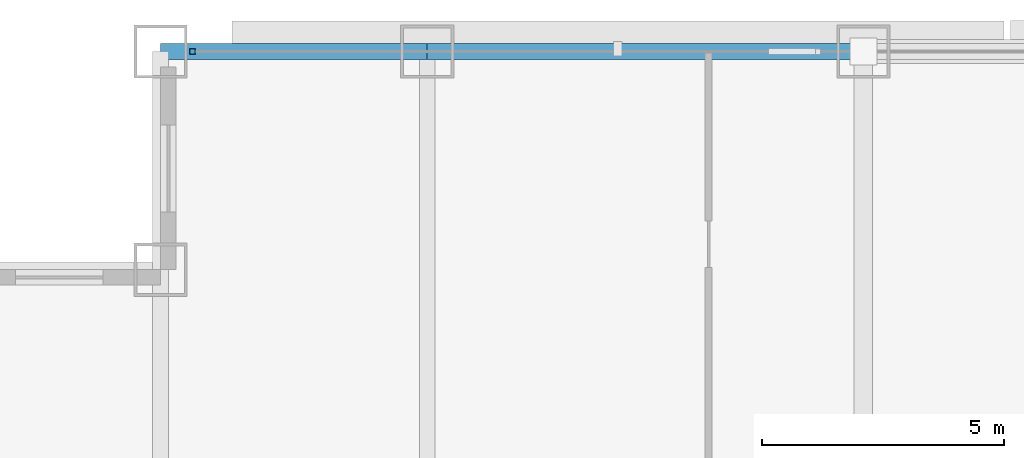
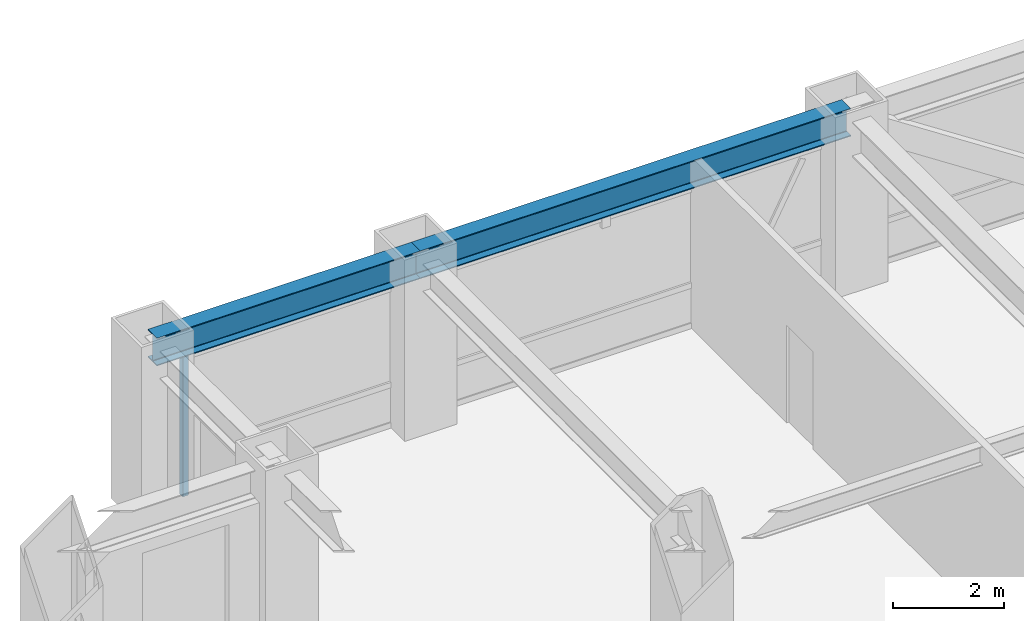
# One storey, part 14 of 28: 2 beams, 1 member, 1 element without a shape of its own.
"""IFC4 building model written with IfcOpenShell, lengths in metres."""

from ifc_helpers import new_model, si_unit, direction, frame, origin, origin_2d, place, context, subcontext, project, spatial, hollow_rectangle, i_section, extrude, source, transform, mapped, material, material_profile, profile_set, type_object, element, aggregate, save


model = new_model("IFC4")

# Units and contexts
model_context = context("Model", 3, precision=1e-05, world=origin(), true_north=direction((0.0, 1.0)))
body_context = subcontext(model_context, "Body", "Model", "MODEL_VIEW")
ifc_project = project(units=[si_unit("LENGTHUNIT", "METRE"), si_unit("AREAUNIT", "SQUARE_METRE"), si_unit("VOLUMEUNIT", "CUBIC_METRE"), si_unit("PLANEANGLEUNIT", "RADIAN"), si_unit("MASSUNIT", "GRAM", prefix="KILO")], contexts=[model_context])

# Site, building, storey
site_placement = place(None, origin())
site = spatial("IfcSite", under=ifc_project, at=site_placement, CompositionType="ELEMENT")
building_placement = place(site_placement, origin())
building = spatial("IfcBuilding", under=site, at=building_placement, Name="Khorayat Bourse Tower", CompositionType="ELEMENT")
storey_placement = place(building_placement, frame((0.0, 0.0, 187.10009765625)))
storey = spatial("IfcBuildingStorey", under=building, at=storey_placement, Name="L43", CompositionType="ELEMENT", Elevation=187.10009765625)

# Beams
ifc_material_1 = material(Name="Steel ASTM A992 Grade 50", Category="steel")
ifc_material_profile_1 = material_profile(ifc_material_1, i_section(OverallWidth=0.324951171875, OverallDepth=0.615966796875, WebThickness=0.013916015625, FlangeThickness=0.021484375, FilletRadius=0.01611328125, at=origin_2d()), Name="W610X174")
ifc_profile_set_1 = profile_set([ifc_material_profile_1], Name="Steel ASTM A992 Grade 50")
beam_type = type_object("IfcBeamType", Name="BM-SPAN-610", PredefinedType="SPANDREL", material=ifc_profile_set_1)
shared_shape_1 = source(origin(), body_context, "Body", "SweptSolid", [
    extrude(i_section(OverallWidth=0.324951171875, OverallDepth=0.615966796875, WebThickness=0.013916015625, FlangeThickness=0.021484375, FilletRadius=0.01611328125, at=origin_2d()), origin(), (0.0, 0.0, 1.0), 5.5),
])
beam_1_placement = place(storey_placement, frame((-25.5, 30.0, 3.471923828125), z_axis=(1.0, 0.0, 0.0), x_axis=(0.0, 1.0, 0.0)))
element("IfcBeam", 1, at=beam_1_placement, inside=storey, type_object=beam_type, Name="L43 BM-SPAN-610 BM-L43-SPN-051", PredefinedType="SPANDREL", context=body_context, shape_type="MappedRepresentation", body=[
    mapped(shared_shape_1, transform((0.0, 0.0, 0.0), scale=1.0)),
])
shared_shape_2 = source(origin(), body_context, "Body", "SweptSolid", [
    extrude(i_section(OverallWidth=0.324951171875, OverallDepth=0.615966796875, WebThickness=0.013916015625, FlangeThickness=0.021484375, FilletRadius=0.01611328125, at=origin_2d()), origin(), (0.0, 0.0, 1.0), 9.0),
])
beam_2_placement = place(storey_placement, frame((-20.0, 30.0, 3.471923828125), z_axis=(1.0, 0.0, 0.0), x_axis=(0.0, 1.0, 0.0)))
element("IfcBeam", 2, at=beam_2_placement, inside=storey, type_object=beam_type, Name="L43 BM-SPAN-610 BM-L43-SPN-050", PredefinedType="SPANDREL", context=body_context, shape_type="MappedRepresentation", body=[
    mapped(shared_shape_2, transform((0.0, 0.0, 0.0), scale=1.0)),
])

# Curtain wall, member
ifc_material_2 = material(Name="Aluminium EN AW-6063 T6", Category="aluminium")
curtain_wall_type = type_object("IfcCurtainWallType", Name="CW-SYS-03", PredefinedType="NOTDEFINED", material=ifc_material_2)
curtain_wall_placement = place(storey_placement, origin())
curtain_wall = element("IfcCurtainWall", 3, at=curtain_wall_placement, inside=storey, type_object=curtain_wall_type, Name="L43 Curtain Wall CW-L43-N1", PredefinedType="NOTDEFINED")
ifc_material_profile_2 = material_profile(ifc_material_2, hollow_rectangle(XDim=0.1201171875, YDim=0.1201171875, WallThickness=0.0048828125, at=origin_2d()), Name="ALU 120x120x5")
ifc_profile_set_2 = profile_set([ifc_material_profile_2], Name="Aluminium EN AW-6063 T6")
member_type = type_object("IfcMemberType", Name="CWM-VERT-120", PredefinedType="MULLION", material=ifc_profile_set_2)
shared_shape_3 = source(origin(), body_context, "Body", "SweptSolid", [
    extrude(hollow_rectangle(XDim=0.1201171875, YDim=0.1201171875, WallThickness=0.0048828125, at=origin_2d()), origin(), (0.0, 0.0, 1.0), 3.1298828125),
])
member_placement = place(storey_placement, frame((-24.840087890625, 30.0, 0.0), z_axis=(0.0, 0.0, 1.0), x_axis=(0.0, 1.0, 0.0)))
member = element("IfcMember", 4, at=member_placement, type_object=member_type, Name="CW-L43-N1 Vertical Mullion 1", PredefinedType="MULLION", context=body_context, shape_type="MappedRepresentation", body=[
    mapped(shared_shape_3, transform((0.0, 0.0, 0.0), scale=1.0)),
])
aggregate(curtain_wall, [member])

save(model, "model.ifc")
